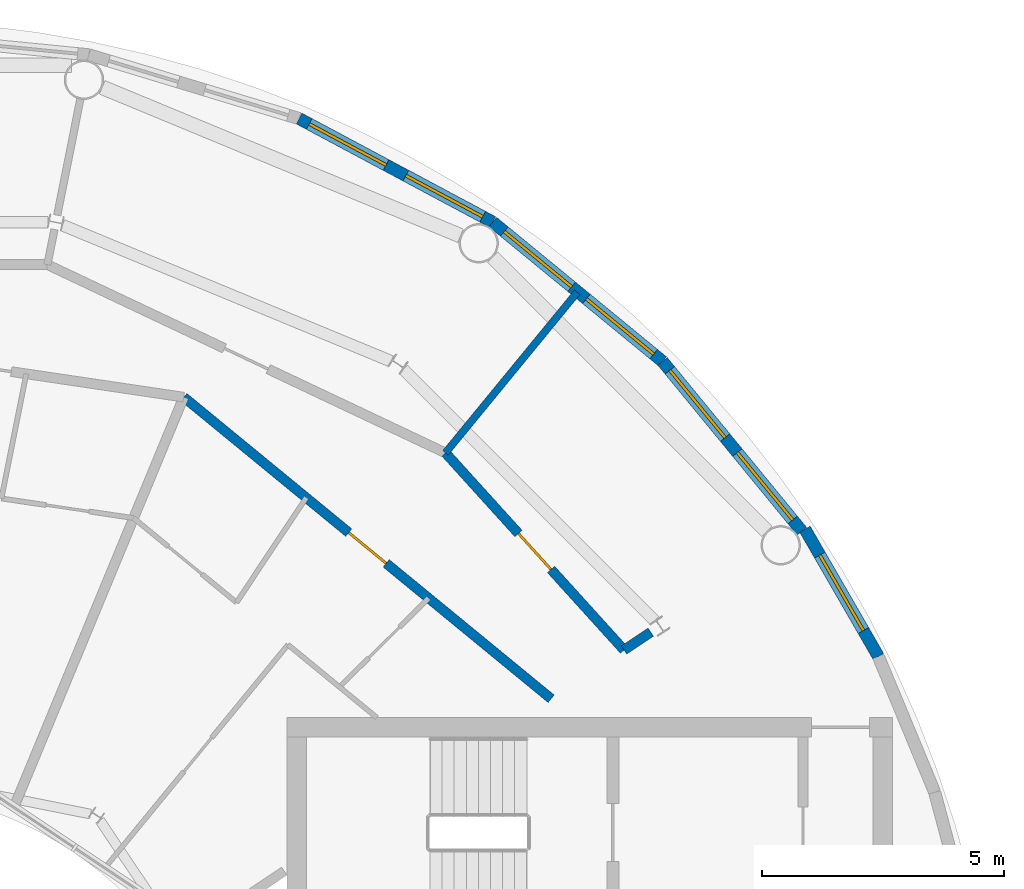
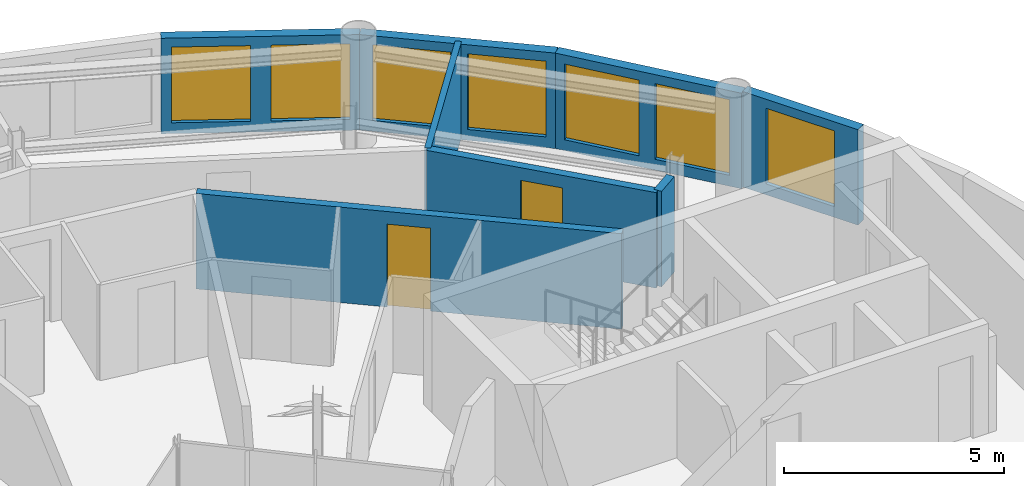
# One storey, part 14 of 17: 8 walls, 7 windows, 2 doors, 9 openings.
"""IFC4 building model written with IfcOpenShell, lengths in metres."""

from ifc_helpers import new_model, si_unit, direction, frame, frame_2d, origin, place, context, subcontext, project, spatial, rectangle, extrude, material, layer, layer_set, type_object, element, fill, save


model = new_model("IFC4")

# Units and contexts
model_context = context("Model", 3, precision=1e-05, world=origin(), true_north=direction((0.0, 1.0)))
body_context = subcontext(model_context, "Body", "Model", "MODEL_VIEW")
ifc_project = project(units=[si_unit("LENGTHUNIT", "METRE"), si_unit("AREAUNIT", "SQUARE_METRE"), si_unit("VOLUMEUNIT", "CUBIC_METRE"), si_unit("PLANEANGLEUNIT", "RADIAN"), si_unit("MASSUNIT", "GRAM", prefix="KILO")], contexts=[model_context])

# Site, building, storey
site_placement = place(None, origin())
site = spatial("IfcSite", under=ifc_project, at=site_placement, CompositionType="ELEMENT")
building_placement = place(site_placement, origin())
building = spatial("IfcBuilding", under=site, at=building_placement, Name="Maasbend Ring Residences", CompositionType="ELEMENT")
storey_placement = place(building_placement, frame((0.0, 0.0, 252.35009765625)))
storey = spatial("IfcBuildingStorey", under=building, at=storey_placement, Name="L73", CompositionType="ELEMENT", Elevation=252.35009765625)

# Wall
ifc_material_1 = material(Name="Concrete C30/37", Category="concrete")
ifc_layer_1 = layer(ifc_material_1, 0.199951171875)
ifc_layer_set_1 = layer_set([ifc_layer_1], Name="Concrete C30/37")
wall_type_1 = type_object("IfcWallType", Name="CORRIDOR WALL 200 CONCRETE", PredefinedType="PARTITIONING", material=ifc_layer_set_1)
wall_1_placement = place(storey_placement, frame((15.556884765625, 10.39501953125, 0.0), z_axis=(0.0, 0.0, 1.0), x_axis=(0.831427465951, 0.555633304313, 0.0)))
element("IfcWall", 1, at=wall_1_placement, inside=storey, type_object=wall_type_1, Name="U-L73-w054", PredefinedType="PARTITIONING", context=body_context, shape_type="SweptSolid", body=[
    extrude(rectangle(XDim=0.663818359375, YDim=0.199951171875, at=frame_2d((0.33203125, 0.0))), origin(), (0.0, 0.0, 1.0), 2.64990234375),
])

# Wall, opening, door
wall_2_placement = place(storey_placement, frame((6.469970703125, 15.613037109375, 0.0), z_axis=(0.0, 0.0, 1.0), x_axis=(0.77292501819, -0.634497372931, 0.0)))
wall_2 = element("IfcWall", 2, at=wall_2_placement, inside=storey, type_object=wall_type_1, Name="U-L73-w064", PredefinedType="PARTITIONING", context=body_context, shape_type="SweptSolid", body=[
    extrude(rectangle(XDim=9.8095703125, YDim=0.199951171875, at=frame_2d((4.90478515625, 0.0))), origin(), (0.0, 0.0, 1.0), 2.64990234375),
])
opening_1_placement = place(wall_2_placement, frame((4.404052734375, 0.0, 0.0)))
opening_1 = element("IfcOpeningElement", 3, at=opening_1_placement, cuts=wall_2, Name="Opening D-7311", PredefinedType="OPENING", context=body_context, shape_type="SweptSolid", body=[
    extrude(rectangle(XDim=1.0, YDim=2.300048828125, at=frame_2d((0.5, 1.14990234375))), frame((0.0, 0.10986328125, 0.0), z_axis=(0.0, -1.0, 0.0), x_axis=(1.0, 0.0, 0.0)), (0.0, 0.0, 1.0), 0.219970703125),
])
ifc_material_2 = material(Name="Timber, fire-rated, painted", Category="wood")
door_type_1 = type_object("IfcDoorType", Name="FLAT ENTRANCE DOOR 1000 X 2300 FIRE-RATED", OperationType="NOTDEFINED", PredefinedType="DOOR", material=ifc_material_2)
door_1_placement = place(opening_1_placement, origin())
door_1 = element("IfcDoor", 4, at=door_1_placement, inside=storey, type_object=door_type_1, Name="D-7311", OperationType="SINGLE_SWING_LEFT", OverallHeight=2.300048828125, OverallWidth=1.0, PredefinedType="DOOR", context=body_context, shape_type="SweptSolid", body=[
    extrude(rectangle(XDim=1.0, YDim=2.300048828125, at=frame_2d((0.5, 1.14990234375))), frame((0.0, 0.02490234375, 0.0), z_axis=(0.0, -1.0, 0.0), x_axis=(1.0, 0.0, 0.0)), (0.0, 0.0, 1.0), 0.050048828125),
])
fill(opening_1, door_1)

wall_3_placement = place(storey_placement, frame((11.8701171875, 14.464111328125, 0.0), z_axis=(0.0, 0.0, 1.0), x_axis=(0.671434738137, -0.741063689856, 0.0)))
wall_3 = element("IfcWall", 5, at=wall_3_placement, inside=storey, type_object=wall_type_1, Name="U-L73-w070", PredefinedType="PARTITIONING", context=body_context, shape_type="SweptSolid", body=[
    extrude(rectangle(XDim=5.490966796875, YDim=0.199951171875, at=frame_2d((2.74560546875, 0.0))), origin(), (0.0, 0.0, 1.0), 2.64990234375),
])
opening_2_placement = place(wall_3_placement, frame((2.2451171875, 0.0, 0.0)))
opening_2 = element("IfcOpeningElement", 6, at=opening_2_placement, cuts=wall_3, Name="Opening D-7301", PredefinedType="OPENING", context=body_context, shape_type="SweptSolid", body=[
    extrude(rectangle(XDim=1.0, YDim=2.300048828125, at=frame_2d((0.5, 1.14990234375))), frame((0.0, 0.10986328125, 0.0), z_axis=(0.0, -1.0, 0.0), x_axis=(1.0, 0.0, 0.0)), (0.0, 0.0, 1.0), 0.219970703125),
])
ifc_material_3 = material(Name="Timber, painted", Category="wood")
door_type_2 = type_object("IfcDoorType", Name="ROOM DOOR 1000 X 2300", OperationType="NOTDEFINED", PredefinedType="DOOR", material=ifc_material_3)
door_2_placement = place(opening_2_placement, origin())
door_2 = element("IfcDoor", 7, at=door_2_placement, inside=storey, type_object=door_type_2, Name="D-7301", OperationType="SINGLE_SWING_LEFT", OverallHeight=2.300048828125, OverallWidth=1.0, PredefinedType="DOOR", context=body_context, shape_type="SweptSolid", body=[
    extrude(rectangle(XDim=1.0, YDim=2.300048828125, at=frame_2d((0.5, 1.14990234375))), frame((0.0, 0.02490234375, 0.0), z_axis=(0.0, -1.0, 0.0), x_axis=(1.0, 0.0, 0.0)), (0.0, 0.0, 1.0), 0.050048828125),
])
fill(opening_2, door_2)

# Wall, openings, windows
ifc_material_4 = material(Name="Aluminium clad insulated panel", Category="aluminium")
ifc_layer_2 = layer(ifc_material_4, 0.25)
ifc_layer_set_2 = layer_set([ifc_layer_2], Name="EW-GL")
wall_type_2 = type_object("IfcWallType", Name="EW-GL", PredefinedType="SOLIDWALL", material=ifc_layer_set_2)
wall_4_placement = place(storey_placement, frame((19.22802734375, 12.847900390625, 0.0), z_axis=(0.0, 0.0, 1.0), x_axis=(-0.634418942337, 0.772989395532, 0.0)))
wall_4 = element("IfcWall", 8, at=wall_4_placement, inside=storey, type_object=wall_type_2, Name="External wall N01", PredefinedType="SOLIDWALL", context=body_context, shape_type="SweptSolid", body=[
    extrude(rectangle(XDim=4.533203125, YDim=0.25, at=frame_2d((2.2666015625, 0.0))), origin(), (0.0, 0.0, 1.0), 2.64990234375),
])
opening_3_placement = place(wall_4_placement, frame((0.300048828125, 0.0, 0.300048828125)))
opening_3 = element("IfcOpeningElement", 9, at=opening_3_placement, cuts=wall_4, Name="Opening W-BX", PredefinedType="OPENING", context=body_context, shape_type="SweptSolid", body=[
    extrude(rectangle(XDim=1.800048828125, YDim=2.10009765625, at=frame_2d((0.89990234375, 1.050048828125))), frame((0.0, 0.135009765625, 0.0), z_axis=(0.0, -1.0, 0.0), x_axis=(1.0, 0.0, 0.0)), (0.0, 0.0, 1.0), 0.27001953125),
])
opening_4_placement = place(wall_4_placement, frame((2.497314453125, 0.0, 0.300048828125)))
opening_4 = element("IfcOpeningElement", 10, at=opening_4_placement, cuts=wall_4, Name="Opening W-BX", PredefinedType="OPENING", context=body_context, shape_type="SweptSolid", body=[
    extrude(rectangle(XDim=1.800048828125, YDim=2.10009765625, at=frame_2d((0.89990234375, 1.050048828125))), frame((0.0, 0.135009765625, 0.0), z_axis=(0.0, -1.0, 0.0), x_axis=(1.0, 0.0, 0.0)), (0.0, 0.0, 1.0), 0.27001953125),
])
ifc_material_5 = material(Name="Aluminium and clear glass", Category="aluminium")
window_type = type_object("IfcWindowType", Name="W-BX", PartitioningType="DOUBLE_PANEL_VERTICAL", PredefinedType="WINDOW", material=ifc_material_5)
window_1_placement = place(opening_3_placement, origin())
window_1 = element("IfcWindow", 11, at=window_1_placement, inside=storey, type_object=window_type, Name="Window N01", OverallHeight=2.10009765625, OverallWidth=1.800048828125, PartitioningType="SINGLE_PANEL", PredefinedType="WINDOW", context=body_context, shape_type="SweptSolid", body=[
    extrude(rectangle(XDim=1.800048828125, YDim=2.10009765625, at=frame_2d((0.89990234375, 1.050048828125))), frame((0.0, 0.030029296875, 0.0), z_axis=(0.0, -1.0, 0.0), x_axis=(1.0, 0.0, 0.0)), (0.0, 0.0, 1.0), 0.06005859375),
])
fill(opening_3, window_1)
window_2_placement = place(opening_4_placement, origin())
window_2 = element("IfcWindow", 12, at=window_2_placement, inside=storey, type_object=window_type, Name="Window N02", OverallHeight=2.10009765625, OverallWidth=1.800048828125, PartitioningType="SINGLE_PANEL", PredefinedType="WINDOW", context=body_context, shape_type="SweptSolid", body=[
    extrude(rectangle(XDim=1.800048828125, YDim=2.10009765625, at=frame_2d((0.89990234375, 1.050048828125))), frame((0.0, 0.030029296875, 0.0), z_axis=(0.0, -1.0, 0.0), x_axis=(1.0, 0.0, 0.0)), (0.0, 0.0, 1.0), 0.06005859375),
])
fill(opening_4, window_2)

wall_5_placement = place(storey_placement, frame((16.35205078125, 16.35205078125, 0.0), z_axis=(0.0, 0.0, 1.0), x_axis=(-0.772989395532, 0.634418942337, 0.0)))
wall_5 = element("IfcWall", 13, at=wall_5_placement, inside=storey, type_object=wall_type_2, Name="External wall N02", PredefinedType="SOLIDWALL", context=body_context, shape_type="SweptSolid", body=[
    extrude(rectangle(XDim=4.533203125, YDim=0.25, at=frame_2d((2.2666015625, 0.0))), origin(), (0.0, 0.0, 1.0), 2.64990234375),
])
opening_5_placement = place(wall_5_placement, frame((0.236083984375, 0.0, 0.300048828125)))
opening_5 = element("IfcOpeningElement", 14, at=opening_5_placement, cuts=wall_5, Name="Opening W-BX", PredefinedType="OPENING", context=body_context, shape_type="SweptSolid", body=[
    extrude(rectangle(XDim=1.800048828125, YDim=2.10009765625, at=frame_2d((0.89990234375, 1.050048828125))), frame((0.0, 0.135009765625, 0.0), z_axis=(0.0, -1.0, 0.0), x_axis=(1.0, 0.0, 0.0)), (0.0, 0.0, 1.0), 0.27001953125),
])
opening_6_placement = place(wall_5_placement, frame((2.4267578125, 0.0, 0.300048828125)))
opening_6 = element("IfcOpeningElement", 15, at=opening_6_placement, cuts=wall_5, Name="Opening W-BX", PredefinedType="OPENING", context=body_context, shape_type="SweptSolid", body=[
    extrude(rectangle(XDim=1.800048828125, YDim=2.10009765625, at=frame_2d((0.89990234375, 1.050048828125))), frame((0.0, 0.135009765625, 0.0), z_axis=(0.0, -1.0, 0.0), x_axis=(1.0, 0.0, 0.0)), (0.0, 0.0, 1.0), 0.27001953125),
])
window_3_placement = place(opening_5_placement, origin())
window_3 = element("IfcWindow", 16, at=window_3_placement, inside=storey, type_object=window_type, Name="Window N03", OverallHeight=2.10009765625, OverallWidth=1.800048828125, PartitioningType="SINGLE_PANEL", PredefinedType="WINDOW", context=body_context, shape_type="SweptSolid", body=[
    extrude(rectangle(XDim=1.800048828125, YDim=2.10009765625, at=frame_2d((0.89990234375, 1.050048828125))), frame((0.0, 0.030029296875, 0.0), z_axis=(0.0, -1.0, 0.0), x_axis=(1.0, 0.0, 0.0)), (0.0, 0.0, 1.0), 0.06005859375),
])
fill(opening_5, window_3)
window_4_placement = place(opening_6_placement, origin())
window_4 = element("IfcWindow", 17, at=window_4_placement, inside=storey, type_object=window_type, Name="Window N04", OverallHeight=2.10009765625, OverallWidth=1.800048828125, PartitioningType="SINGLE_PANEL", PredefinedType="WINDOW", context=body_context, shape_type="SweptSolid", body=[
    extrude(rectangle(XDim=1.800048828125, YDim=2.10009765625, at=frame_2d((0.89990234375, 1.050048828125))), frame((0.0, 0.030029296875, 0.0), z_axis=(0.0, -1.0, 0.0), x_axis=(1.0, 0.0, 0.0)), (0.0, 0.0, 1.0), 0.06005859375),
])
fill(opening_6, window_4)

wall_6_placement = place(storey_placement, frame((12.847900390625, 19.22802734375, 0.0), z_axis=(0.0, 0.0, 1.0), x_axis=(-0.881912752543, 0.471412660947, 0.0)))
wall_6 = element("IfcWall", 18, at=wall_6_placement, inside=storey, type_object=wall_type_2, Name="External wall N03", PredefinedType="SOLIDWALL", context=body_context, shape_type="SweptSolid", body=[
    extrude(rectangle(XDim=4.533203125, YDim=0.25, at=frame_2d((2.2666015625, 0.0))), origin(), (0.0, 0.0, 1.0), 2.64990234375),
])
opening_7_placement = place(wall_6_placement, frame((0.236083984375, 0.0, 0.300048828125)))
opening_7 = element("IfcOpeningElement", 19, at=opening_7_placement, cuts=wall_6, Name="Opening W-BX", PredefinedType="OPENING", context=body_context, shape_type="SweptSolid", body=[
    extrude(rectangle(XDim=1.800048828125, YDim=2.10009765625, at=frame_2d((0.89990234375, 1.050048828125))), frame((0.0, 0.135009765625, 0.0), z_axis=(0.0, -1.0, 0.0), x_axis=(1.0, 0.0, 0.0)), (0.0, 0.0, 1.0), 0.27001953125),
])
opening_8_placement = place(wall_6_placement, frame((2.497314453125, 0.0, 0.300048828125)))
opening_8 = element("IfcOpeningElement", 20, at=opening_8_placement, cuts=wall_6, Name="Opening W-BX", PredefinedType="OPENING", context=body_context, shape_type="SweptSolid", body=[
    extrude(rectangle(XDim=1.800048828125, YDim=2.10009765625, at=frame_2d((0.89990234375, 1.050048828125))), frame((0.0, 0.135009765625, 0.0), z_axis=(0.0, -1.0, 0.0), x_axis=(1.0, 0.0, 0.0)), (0.0, 0.0, 1.0), 0.27001953125),
])
window_5_placement = place(opening_7_placement, origin())
window_5 = element("IfcWindow", 21, at=window_5_placement, inside=storey, type_object=window_type, Name="Window N05", OverallHeight=2.10009765625, OverallWidth=1.800048828125, PartitioningType="SINGLE_PANEL", PredefinedType="WINDOW", context=body_context, shape_type="SweptSolid", body=[
    extrude(rectangle(XDim=1.800048828125, YDim=2.10009765625, at=frame_2d((0.89990234375, 1.050048828125))), frame((0.0, 0.030029296875, 0.0), z_axis=(0.0, -1.0, 0.0), x_axis=(1.0, 0.0, 0.0)), (0.0, 0.0, 1.0), 0.06005859375),
])
fill(opening_7, window_5)
window_6_placement = place(opening_8_placement, origin())
window_6 = element("IfcWindow", 22, at=window_6_placement, inside=storey, type_object=window_type, Name="Window N06", OverallHeight=2.10009765625, OverallWidth=1.800048828125, PartitioningType="SINGLE_PANEL", PredefinedType="WINDOW", context=body_context, shape_type="SweptSolid", body=[
    extrude(rectangle(XDim=1.800048828125, YDim=2.10009765625, at=frame_2d((0.89990234375, 1.050048828125))), frame((0.0, 0.030029296875, 0.0), z_axis=(0.0, -1.0, 0.0), x_axis=(1.0, 0.0, 0.0)), (0.0, 0.0, 1.0), 0.06005859375),
])
fill(opening_8, window_6)

# Wall, opening, window
ifc_material_6 = material(Name="Aluminium clad insulated panel", Category="aluminium")
ifc_layer_3 = layer(ifc_material_6, 0.25)
ifc_layer_set_3 = layer_set([ifc_layer_3], Name="EW-HORN")
wall_type_3 = type_object("IfcWallType", Name="EW-HORN", PredefinedType="SOLIDWALL", material=ifc_layer_set_3)
wall_7_placement = place(storey_placement, frame((20.806884765625, 10.260986328125, 0.0), z_axis=(0.0, 0.0, 1.0), x_axis=(-0.499903546559, 0.866081084043, 0.0)))
wall_7 = element("IfcWall", 23, at=wall_7_placement, inside=storey, type_object=wall_type_3, Name="Horn wall 1.9", PredefinedType="SOLIDWALL", context=body_context, shape_type="SweptSolid", body=[
    extrude(rectangle(XDim=3.0341796875, YDim=0.25, at=frame_2d((1.51708984375, 0.0))), origin(), (0.0, 0.0, 1.0), 2.64990234375),
])
opening_9_placement = place(wall_7_placement, frame((0.617431640625, 0.0, 0.300048828125)))
opening_9 = element("IfcOpeningElement", 24, at=opening_9_placement, cuts=wall_7, Name="Opening W-BX", PredefinedType="OPENING", context=body_context, shape_type="SweptSolid", body=[
    extrude(rectangle(XDim=1.800048828125, YDim=2.10009765625, at=frame_2d((0.89990234375, 1.050048828125))), frame((0.0, 0.135009765625, 0.0), z_axis=(0.0, -1.0, 0.0), x_axis=(1.0, 0.0, 0.0)), (0.0, 0.0, 1.0), 0.27001953125),
])
window_7_placement = place(opening_9_placement, origin())
window_7 = element("IfcWindow", 25, at=window_7_placement, inside=storey, type_object=window_type, Name="Horn window 1.9", OverallHeight=2.10009765625, OverallWidth=1.800048828125, PartitioningType="SINGLE_PANEL", PredefinedType="WINDOW", context=body_context, shape_type="SweptSolid", body=[
    extrude(rectangle(XDim=1.800048828125, YDim=2.10009765625, at=frame_2d((0.89990234375, 1.050048828125))), frame((0.0, 0.030029296875, 0.0), z_axis=(0.0, -1.0, 0.0), x_axis=(1.0, 0.0, 0.0)), (0.0, 0.0, 1.0), 0.06005859375),
])
fill(opening_9, window_7)

# Wall
ifc_material_7 = material(Name="Gypsum board on steel studs", Category="steel")
ifc_layer_4 = layer(ifc_material_7, 0.14990234375)
ifc_layer_set_4 = layer_set([ifc_layer_4], Name="PARTITION 150 GYPSUM")
wall_type_4 = type_object("IfcWallType", Name="PARTITION 150 GYPSUM", PredefinedType="PARTITIONING", material=ifc_layer_set_4)
wall_8_placement = place(storey_placement, frame((11.8701171875, 14.464111328125, 0.0), z_axis=(0.0, 0.0, 1.0), x_axis=(0.634207563301, 0.773162833206, 0.0)))
element("IfcWall", 26, at=wall_8_placement, inside=storey, type_object=wall_type_4, Name="U-L73-w052", PredefinedType="PARTITIONING", context=body_context, shape_type="SweptSolid", body=[
    extrude(rectangle(XDim=4.288818359375, YDim=0.14990234375, at=frame_2d((2.14453125, 0.0))), origin(), (0.0, 0.0, 1.0), 2.64990234375),
])

save(model, "model.ifc")
